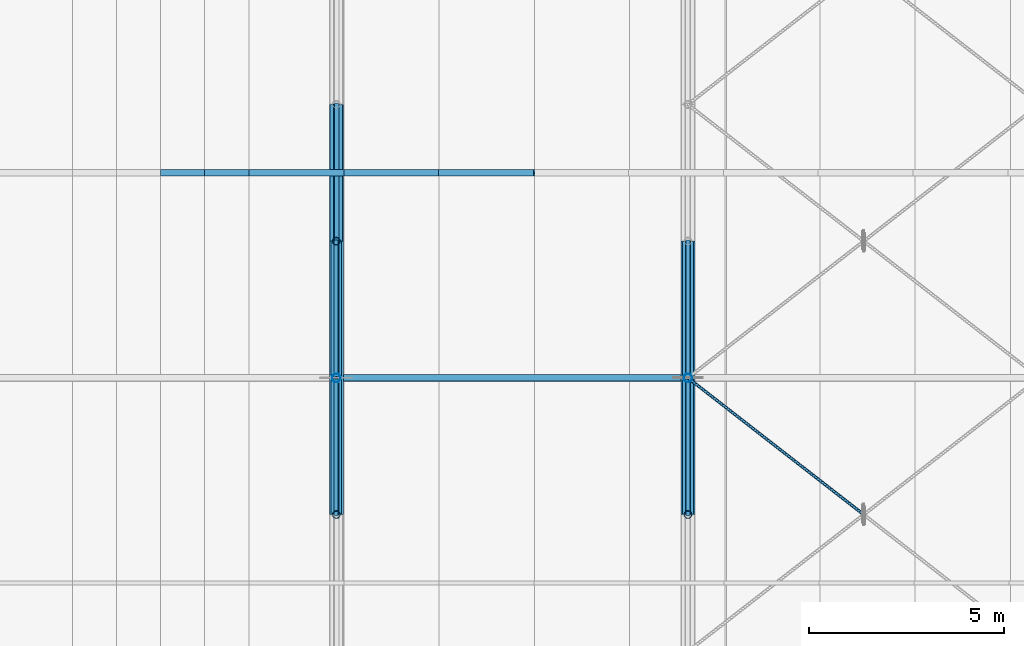
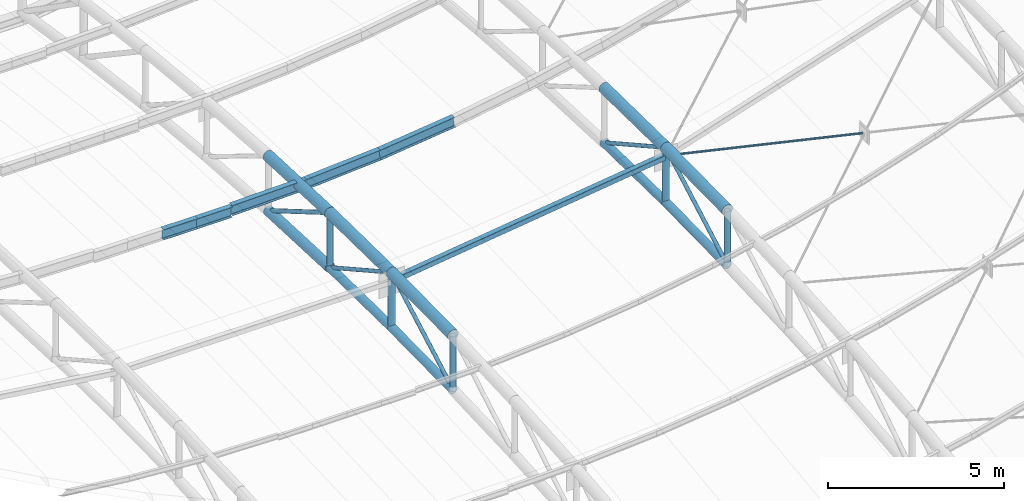
# One storey, part 33 of 262: 27 members.
"""IFC4 building model written with IfcOpenShell, lengths in metres."""

from ifc_helpers import new_model, si_unit, derived_unit, direction, frame, origin, origin_2d, place, context, subcontext, project, spatial, hollow_rectangle, hollow_circle, i_section, extrude, material, material_profile, profile_set, type_object, element, save


model = new_model("IFC4")

# Units and contexts
model_context = context("Model", 3, precision=1e-05, world=origin(), true_north=direction((0.0, 1.0)))
body_context = subcontext(model_context, "Body", "Model", "MODEL_VIEW")
ifc_project = project(units=[si_unit("LENGTHUNIT", "METRE"), si_unit("AREAUNIT", "SQUARE_METRE"), si_unit("VOLUMEUNIT", "CUBIC_METRE"), si_unit("PLANEANGLEUNIT", "RADIAN"), si_unit("MASSUNIT", "GRAM", prefix="KILO"), derived_unit("THERMALTRANSMITTANCEUNIT", [(si_unit("POWERUNIT", "WATT"), 1), (si_unit("LENGTHUNIT", "METRE"), -2), (si_unit("THERMODYNAMICTEMPERATUREUNIT", "KELVIN"), -1)])], contexts=[model_context])

# Site, building, storey
site_placement = place(None, origin())
site = spatial("IfcSite", under=ifc_project, at=site_placement, CompositionType="ELEMENT")
building_placement = place(site_placement, origin())
building = spatial("IfcBuilding", under=site, at=building_placement, Name="Almenara Railside Exhibition Hall", CompositionType="ELEMENT")
storey_placement = place(building_placement, frame((0.0, 0.0, 21.699951171875)))
storey = spatial("IfcBuildingStorey", under=building, at=storey_placement, Name="RF", CompositionType="ELEMENT", Elevation=21.699951171875)

# Members
ifc_material = material(Name="Structural steel S355JR", Category="steel")
ifc_material_profile_1 = material_profile(ifc_material, hollow_circle(Radius=0.0380859375, WallThickness=0.003662109375, at=origin_2d()), Name="CHS 76.1x3.6")
ifc_profile_set_1 = profile_set([ifc_material_profile_1], Name="Structural steel S355JR")
member_type_1 = type_object("IfcMemberType", Name="Lantern Cross-Tie Brace CHS 76.1x3.6 S355JR", PredefinedType="BRACE", material=ifc_profile_set_1)
member_1_placement = place(storey_placement, frame((48.0, 21.0, -5.3505859375), z_axis=(0.768544764163, -0.597743039799, 0.228127604313), x_axis=(0.613931654796, 0.789359185187, 0.0)))
element("IfcMember", 1, at=member_1_placement, inside=storey, type_object=member_type_1, Name="MEM-WB-V4-WB-CHS76-05-04-S1", PredefinedType="BRACE", context=body_context, shape_type="SweptSolid", body=[
    extrude(hollow_circle(Radius=0.0380859375, WallThickness=0.003662109375, at=origin_2d()), origin(), (0.0, 0.0, 1.0), 5.813232421875),
])
ifc_material_profile_2 = material_profile(ifc_material, i_section(OverallWidth=0.169921875, OverallDepth=0.360107421875, WebThickness=0.008056640625, FlangeThickness=0.0126953125, FilletRadius=0.01806640625, at=origin_2d()), Name="IPE 360")
ifc_profile_set_2 = profile_set([ifc_material_profile_2], Name="Structural steel S355JR")
member_type_2 = type_object("IfcMemberType", Name="Long-Span Scroll Purlin IPE 360 S355JR", PredefinedType="PURLIN", material=ifc_profile_set_2)
member_2_placement = place(storey_placement, frame((34.5, 26.25, -6.515625), z_axis=(1.0, 0.0, 0.0), x_axis=(0.0, 1.0, 0.0)))
element("IfcMember", 2, at=member_2_placement, inside=storey, type_object=member_type_2, Name="MEM-PR-V4-PR-IPE360-05-14", PredefinedType="PURLIN", context=body_context, shape_type="SweptSolid", body=[
    extrude(i_section(OverallWidth=0.169921875, OverallDepth=0.360107421875, WebThickness=0.008056640625, FlangeThickness=0.0126953125, FilletRadius=0.01806640625, at=origin_2d()), origin(), (0.0, 0.0, 1.0), 1.1298828125),
])
member_3_placement = place(storey_placement, frame((35.6298828125, 26.25, -6.515625), z_axis=(1.0, 0.0, 0.0), x_axis=(0.0, 1.0, 0.0)))
element("IfcMember", 3, at=member_3_placement, inside=storey, type_object=member_type_2, Name="MEM-PR-V4-PR-IPE360-05-15", PredefinedType="PURLIN", context=body_context, shape_type="SweptSolid", body=[
    extrude(i_section(OverallWidth=0.169921875, OverallDepth=0.360107421875, WebThickness=0.008056640625, FlangeThickness=0.0126953125, FilletRadius=0.01806640625, at=origin_2d()), origin(), (0.0, 0.0, 1.0), 1.129638671875),
])
member_4_placement = place(storey_placement, frame((36.759521484375, 26.25, -6.4658203125), z_axis=(0.999725289903, 0.0, 0.023438104182), x_axis=(0.0, 1.0, 0.0)))
element("IfcMember", 4, at=member_4_placement, inside=storey, type_object=member_type_2, Name="MEM-PR-V4-PR-IPE360-05-16", PredefinedType="PURLIN", context=body_context, shape_type="SweptSolid", body=[
    extrude(i_section(OverallWidth=0.169921875, OverallDepth=0.360107421875, WebThickness=0.008056640625, FlangeThickness=0.0126953125, FilletRadius=0.01806640625, at=origin_2d()), origin(), (0.0, 0.0, 1.0), 2.4375),
])
member_5_placement = place(storey_placement, frame((39.1962890625, 26.25, -6.409423828125), z_axis=(0.997528729247, 0.0, 0.070259763216), x_axis=(0.0, 1.0, 0.0)))
element("IfcMember", 5, at=member_5_placement, inside=storey, type_object=member_type_2, Name="MEM-PR-V4-PR-IPE360-05-17", PredefinedType="PURLIN", context=body_context, shape_type="SweptSolid", body=[
    extrude(i_section(OverallWidth=0.169921875, OverallDepth=0.360107421875, WebThickness=0.008056640625, FlangeThickness=0.0126953125, FilletRadius=0.01806640625, at=origin_2d()), origin(), (0.0, 0.0, 1.0), 2.44287109375),
])
member_6_placement = place(storey_placement, frame((41.633056640625, 26.25, -6.239501953125), z_axis=(0.993105700961, 0.0, 0.117222296166), x_axis=(0.0, 1.0, 0.0)))
element("IfcMember", 6, at=member_6_placement, inside=storey, type_object=member_type_2, Name="MEM-PR-V4-PR-IPE360-05-18", PredefinedType="PURLIN", context=body_context, shape_type="SweptSolid", body=[
    extrude(i_section(OverallWidth=0.169921875, OverallDepth=0.360107421875, WebThickness=0.008056640625, FlangeThickness=0.0126953125, FilletRadius=0.01806640625, at=origin_2d()), origin(), (0.0, 0.0, 1.0), 2.453369140625),
])
ifc_material_profile_3 = material_profile(ifc_material, hollow_circle(Radius=0.136474609375, WallThickness=0.010009765625, at=origin_2d()), Name="CHS 273x10")
ifc_profile_set_3 = profile_set([ifc_material_profile_3], Name="Structural steel S355JR")
member_type_3 = type_object("IfcMemberType", Name="Plenary Crown Bottom Chord CHS 273x10 S355JR", PredefinedType="CHORD", material=ifc_profile_set_3)
for number, where, z_axis, x_axis, name in (
    (7, (39.0, 17.5, -8.20166015625), (0.0, 0.999897775465, 0.014298203402), (-1.0, 0.0, 0.0), "MEM-BC-V4-04-05"),
    (8, (39.0, 21.0, -8.151611328125), (0.0, 0.999897775465, -0.014298203402), (-1.0, 0.0, 0.0), "MEM-BC-V4-04-06"),
    (9, (48.0, 17.5, -7.0205078125), (0.0, 0.999897775465, 0.014298203402), (-1.0, 0.0, 0.0), "MEM-BC-V4-05-05"),
    (10, (48.0, 21.0, -6.970458984375), (0.0, 0.999897775465, -0.014298203402), (-1.0, 0.0, 0.0), "MEM-BC-V4-05-06"),
):
    element("IfcMember", number, at=place(storey_placement, frame(where, z_axis=z_axis, x_axis=x_axis)), inside=storey, type_object=member_type_3, Name=name, PredefinedType="CHORD", context=body_context, shape_type="SweptSolid", body=[
        extrude(hollow_circle(Radius=0.136474609375, WallThickness=0.010009765625, at=origin_2d()), origin(), (0.0, 0.0, 1.0), 3.500244140625),
    ])
ifc_material_profile_4 = material_profile(ifc_material, hollow_rectangle(XDim=0.179931640625, YDim=0.179931640625, WallThickness=0.008056640625, InnerFilletRadius=0.008056640625, OuterFilletRadius=0.01611328125, at=origin_2d()), Name="SHS 180x180x8")
ifc_profile_set_4 = profile_set([ifc_material_profile_4], Name="Structural steel S355JR")
member_type_4 = type_object("IfcMemberType", Name="Plenary Eaves Strut SHS 180x180x8 S355JR", PredefinedType="BRACE", material=ifc_profile_set_4)
member_7_placement = place(storey_placement, frame((39.0, 21.0, -6.53173828125), z_axis=(0.991497815941, 0.0, 0.130123329902), x_axis=(0.0, 1.0, 0.0)))
element("IfcMember", 11, at=member_7_placement, inside=storey, type_object=member_type_4, Name="MEM-ES-V4-04", PredefinedType="BRACE", context=body_context, shape_type="SweptSolid", body=[
    extrude(hollow_rectangle(XDim=0.179931640625, YDim=0.179931640625, WallThickness=0.008056640625, InnerFilletRadius=0.008056640625, OuterFilletRadius=0.01611328125, at=origin_2d()), origin(), (0.0, 0.0, 1.0), 9.0771484375),
])
ifc_material_profile_5 = material_profile(ifc_material, hollow_circle(Radius=0.161865234375, WallThickness=0.010009765625, at=origin_2d()), Name="CHS 323.9x10")
ifc_profile_set_5 = profile_set([ifc_material_profile_5], Name="Structural steel S355JR")
member_type_5 = type_object("IfcMemberType", Name="Plenary Truss Bottom Chord CHS 323.9x10 S355JR", PredefinedType="CHORD", material=ifc_profile_set_5)
member_8_placement = place(storey_placement, frame((39.0, 24.5, -8.20166015625), z_axis=(0.0, 0.999084087935, -0.042790013253), x_axis=(-1.0, 0.0, 0.0)))
element("IfcMember", 12, at=member_8_placement, inside=storey, type_object=member_type_5, Name="MEM-BC-V4-04-07", PredefinedType="CHORD", context=body_context, shape_type="SweptSolid", body=[
    extrude(hollow_circle(Radius=0.161865234375, WallThickness=0.010009765625, at=origin_2d()), origin(), (0.0, 0.0, 1.0), 3.503173828125),
])
ifc_material_profile_6 = material_profile(ifc_material, hollow_circle(Radius=0.177734375, WallThickness=0.012451171875, at=origin_2d()), Name="CHS 355.6x12.5")
ifc_profile_set_6 = profile_set([ifc_material_profile_6], Name="Structural steel S355JR")
member_type_6 = type_object("IfcMemberType", Name="Plenary Truss Top Chord CHS 355.6x12.5 S355JR", PredefinedType="CHORD", material=ifc_profile_set_6)
for number, where, z_axis, x_axis, name in (
    (13, (39.0, 17.5, -6.3017578125), (0.0, 0.999897775465, 0.014298203402), (-1.0, 0.0, 0.0), "MEM-TC-V4-04-05"),
    (14, (39.0, 21.0, -6.251708984375), (0.0, 0.999897775465, -0.014298203402), (-1.0, 0.0, 0.0), "MEM-TC-V4-04-06"),
):
    element("IfcMember", number, at=place(storey_placement, frame(where, z_axis=z_axis, x_axis=x_axis)), inside=storey, type_object=member_type_6, Name=name, PredefinedType="CHORD", context=body_context, shape_type="SweptSolid", body=[
        extrude(hollow_circle(Radius=0.177734375, WallThickness=0.012451171875, at=origin_2d()), origin(), (0.0, 0.0, 1.0), 3.500244140625),
    ])
member_9_placement = place(storey_placement, frame((39.0, 24.5, -6.3017578125), z_axis=(0.0, 0.999084087935, -0.042790013253), x_axis=(-1.0, 0.0, 0.0)))
element("IfcMember", 15, at=member_9_placement, inside=storey, type_object=member_type_6, Name="MEM-TC-V4-04-07", PredefinedType="CHORD", context=body_context, shape_type="SweptSolid", body=[
    extrude(hollow_circle(Radius=0.177734375, WallThickness=0.012451171875, at=origin_2d()), origin(), (0.0, 0.0, 1.0), 3.503173828125),
])
for number, where, z_axis, x_axis, name in (
    (16, (48.0, 17.5, -5.12060546875), (0.0, 0.999897775465, 0.014298203402), (-1.0, 0.0, 0.0), "MEM-TC-V4-05-05"),
    (17, (48.0, 21.0, -5.070556640625), (0.0, 0.999897775465, -0.014298203402), (-1.0, 0.0, 0.0), "MEM-TC-V4-05-06"),
):
    element("IfcMember", number, at=place(storey_placement, frame(where, z_axis=z_axis, x_axis=x_axis)), inside=storey, type_object=member_type_6, Name=name, PredefinedType="CHORD", context=body_context, shape_type="SweptSolid", body=[
        extrude(hollow_circle(Radius=0.177734375, WallThickness=0.012451171875, at=origin_2d()), origin(), (0.0, 0.0, 1.0), 3.500244140625),
    ])
ifc_material_profile_7 = material_profile(ifc_material, hollow_circle(Radius=0.0634765625, WallThickness=0.00439453125, at=origin_2d()), Name="CHS 127.0x4.5")
ifc_profile_set_7 = profile_set([ifc_material_profile_7], Name="Structural steel S355JR")
member_type_7 = type_object("IfcMemberType", Name="Truss Crown Diagonal CHS 127.0x4.5 S355JR", PredefinedType="BRACE", material=ifc_profile_set_7)
for number, where, z_axis, x_axis, name in (
    (18, (39.0, 17.5, -8.20166015625), (0.0, 0.873573157803, 0.486692857936), (-1.0, 0.0, 0.0), "MEM-TD-V4-04-05"),
    (19, (39.0, 21.0, -6.251708984375), (0.0, 0.873573157803, -0.486692857936), (-1.0, 0.0, 0.0), "MEM-TD-V4-04-06"),
    (20, (48.0, 17.5, -7.0205078125), (0.0, 0.873573157803, 0.486692857936), (-1.0, 0.0, 0.0), "MEM-TD-V4-05-05"),
    (21, (48.0, 21.0, -5.070556640625), (0.0, 0.873573157803, -0.486692857936), (-1.0, 0.0, 0.0), "MEM-TD-V4-05-06"),
):
    element("IfcMember", number, at=place(storey_placement, frame(where, z_axis=z_axis, x_axis=x_axis)), inside=storey, type_object=member_type_7, Name=name, PredefinedType="BRACE", context=body_context, shape_type="SweptSolid", body=[
        extrude(hollow_circle(Radius=0.0634765625, WallThickness=0.00439453125, at=origin_2d()), origin(), (0.0, 0.0, 1.0), 4.006591796875),
    ])
ifc_material_profile_8 = material_profile(ifc_material, hollow_circle(Radius=0.06982421875, WallThickness=0.0048828125, at=origin_2d()), Name="CHS 139.7x5")
ifc_profile_set_8 = profile_set([ifc_material_profile_8], Name="Structural steel S355JR")
member_type_8 = type_object("IfcMemberType", Name="Truss Inner Diagonal CHS 139.7x5 S355JR", PredefinedType="BRACE", material=ifc_profile_set_8)
member_10_placement = place(storey_placement, frame((39.0, 24.5, -6.3017578125), z_axis=(0.0, 0.86290436014, -0.505367257794), x_axis=(-1.0, 0.0, 0.0)))
element("IfcMember", 22, at=member_10_placement, inside=storey, type_object=member_type_8, Name="MEM-TD-V4-04-07", PredefinedType="BRACE", context=body_context, shape_type="SweptSolid", body=[
    extrude(hollow_circle(Radius=0.06982421875, WallThickness=0.0048828125, at=origin_2d()), origin(), (0.0, 0.0, 1.0), 4.05615234375),
])
ifc_material_profile_9 = material_profile(ifc_material, hollow_circle(Radius=0.109619140625, WallThickness=0.008056640625, at=origin_2d()), Name="CHS 219.1x8")
ifc_profile_set_9 = profile_set([ifc_material_profile_9], Name="Structural steel S355JR")
member_type_9 = type_object("IfcMemberType", Name="Truss Primary Vertical Strut CHS 219.1x8 S355JR", PredefinedType="BRACE", material=ifc_profile_set_9)
for number, where, z_axis, x_axis, name in (
    (23, (39.0, 21.0, -8.151611328125), (0.0, 0.0, 1.0), (1.0, 0.0, 0.0), "MEM-TV-V4-04-06"),
    (24, (48.0, 21.0, -6.970458984375), (0.0, 0.0, 1.0), (1.0, 0.0, 0.0), "MEM-TV-V4-05-06"),
):
    element("IfcMember", number, at=place(storey_placement, frame(where, z_axis=z_axis, x_axis=x_axis)), inside=storey, type_object=member_type_9, Name=name, PredefinedType="BRACE", context=body_context, shape_type="SweptSolid", body=[
        extrude(hollow_circle(Radius=0.109619140625, WallThickness=0.008056640625, at=origin_2d()), origin(), (0.0, 0.0, 1.0), 1.89990234375),
    ])
ifc_material_profile_10 = material_profile(ifc_material, hollow_circle(Radius=0.096923828125, WallThickness=0.00634765625, at=origin_2d()), Name="CHS 193.7x6.3")
ifc_profile_set_10 = profile_set([ifc_material_profile_10], Name="Structural steel S355JR")
member_type_10 = type_object("IfcMemberType", Name="Truss Standard Vertical Strut CHS 193.7x6.3 S355JR", PredefinedType="BRACE", material=ifc_profile_set_10)
for number, where, z_axis, x_axis, name in (
    (25, (39.0, 17.5, -8.20166015625), (0.0, 0.0, 1.0), (1.0, 0.0, 0.0), "MEM-TV-V4-04-05"),
    (26, (39.0, 24.5, -8.20166015625), (0.0, 0.0, 1.0), (1.0, 0.0, 0.0), "MEM-TV-V4-04-07"),
    (27, (48.0, 17.5, -7.0205078125), (0.0, 0.0, 1.0), (1.0, 0.0, 0.0), "MEM-TV-V4-05-05"),
):
    element("IfcMember", number, at=place(storey_placement, frame(where, z_axis=z_axis, x_axis=x_axis)), inside=storey, type_object=member_type_10, Name=name, PredefinedType="BRACE", context=body_context, shape_type="SweptSolid", body=[
        extrude(hollow_circle(Radius=0.096923828125, WallThickness=0.00634765625, at=origin_2d()), origin(), (0.0, 0.0, 1.0), 1.89990234375),
    ])

save(model, "model.ifc")
